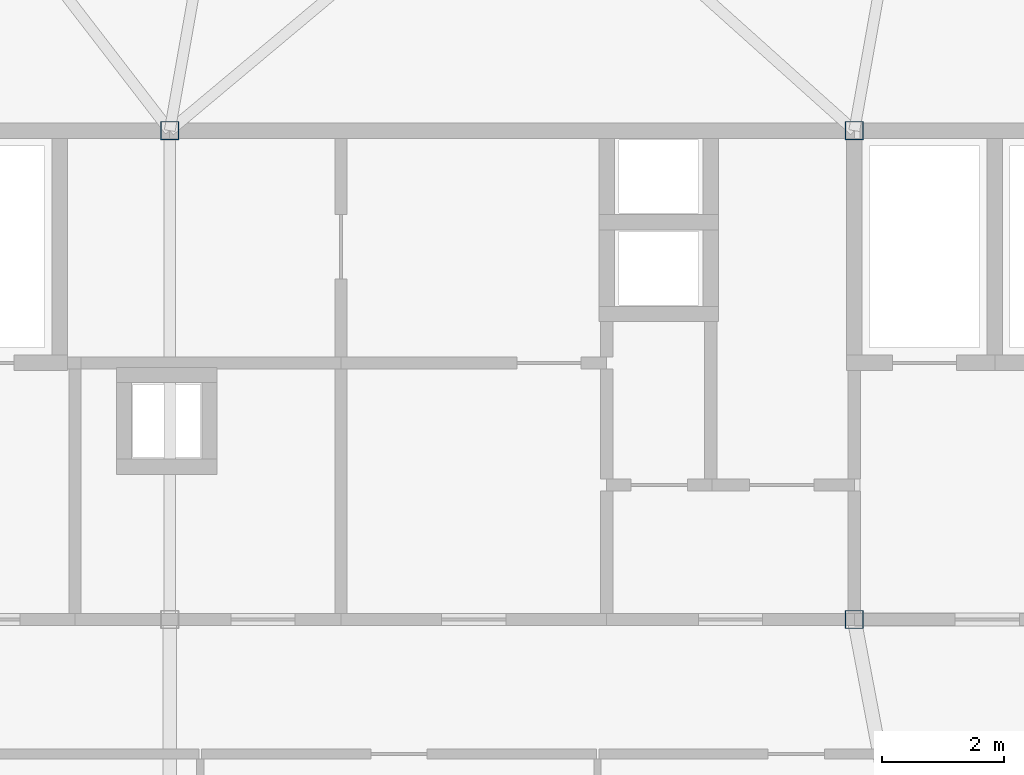
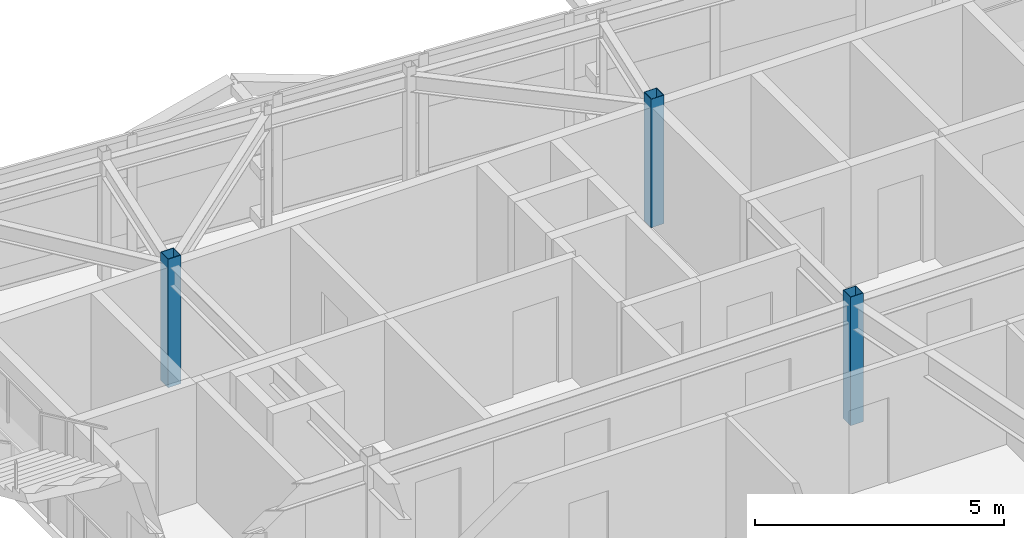
# One storey, part 4 of 42: 3 columns.
"""IFC4 building model written with IfcOpenShell, lengths in metres."""

from ifc_helpers import new_model, si_unit, direction, frame, origin, origin_2d, place, context, subcontext, project, spatial, hollow_rectangle, extrude, source, transform, mapped, material, material_profile, profile_set, type_object, element, save


model = new_model("IFC4")

# Units and contexts
model_context = context("Model", 3, precision=1e-05, world=origin(), true_north=direction((0.0, 1.0)))
body_context = subcontext(model_context, "Body", "Model", "MODEL_VIEW")
ifc_project = project(units=[si_unit("LENGTHUNIT", "METRE"), si_unit("AREAUNIT", "SQUARE_METRE"), si_unit("VOLUMEUNIT", "CUBIC_METRE"), si_unit("PLANEANGLEUNIT", "RADIAN"), si_unit("MASSUNIT", "GRAM", prefix="KILO")], contexts=[model_context])

# Site, building, storey
site_placement = place(None, origin())
site = spatial("IfcSite", under=ifc_project, at=site_placement, CompositionType="ELEMENT")
building_placement = place(site_placement, origin())
building = spatial("IfcBuilding", under=site, at=building_placement, Name="Taldren Reach Tower", CompositionType="ELEMENT")
storey_placement = place(building_placement, frame((0.0, 0.0, 214.550048828125)))
storey = spatial("IfcBuildingStorey", under=building, at=storey_placement, Name="L65", CompositionType="ELEMENT", Elevation=214.550048828125)

# Columns
ifc_material = material(Name="Steel Gr 450 (C450L0)", Category="steel")
ifc_material_profile = material_profile(ifc_material, hollow_rectangle(XDim=0.300048828125, YDim=0.300048828125, WallThickness=0.012451171875, at=origin_2d()), Name="300x300x12.5SHS")
ifc_profile_set = profile_set([ifc_material_profile], Name="Steel Gr 450 (C450L0)")
column_type = type_object("IfcColumnType", Name="COL-SHS300", PredefinedType="COLUMN", material=ifc_profile_set)
shared_shape = source(origin(), body_context, "Body", "SweptSolid", [
    extrude(hollow_rectangle(XDim=0.300048828125, YDim=0.300048828125, WallThickness=0.012451171875, at=origin_2d()), origin(), (0.0, 0.0, 1.0), 3.14990234375),
])
for number, where, z_axis, x_axis, name in (
    (1, (39.199951171875, 24.0, 0.0), (0.0, 0.0, 1.0), (1.0, 0.0, 0.0), "Mega column MC-C3 L65"),
    (2, (28.0, 32.0, 0.0), (0.0, 0.0, 1.0), (1.0, 0.0, 0.0), "Mega column MC-C6 L65"),
    (3, (39.199951171875, 32.0, 0.0), (0.0, 0.0, 1.0), (1.0, 0.0, 0.0), "Mega column MC-C7 L65"),
):
    element("IfcColumn", number, at=place(storey_placement, frame(where, z_axis=z_axis, x_axis=x_axis)), inside=storey, type_object=column_type, Name=name, PredefinedType="COLUMN", context=body_context, shape_type="MappedRepresentation", body=[
        mapped(shared_shape, transform((0.0, 0.0, 0.0), scale=1.0)),
    ])

save(model, "model.ifc")
